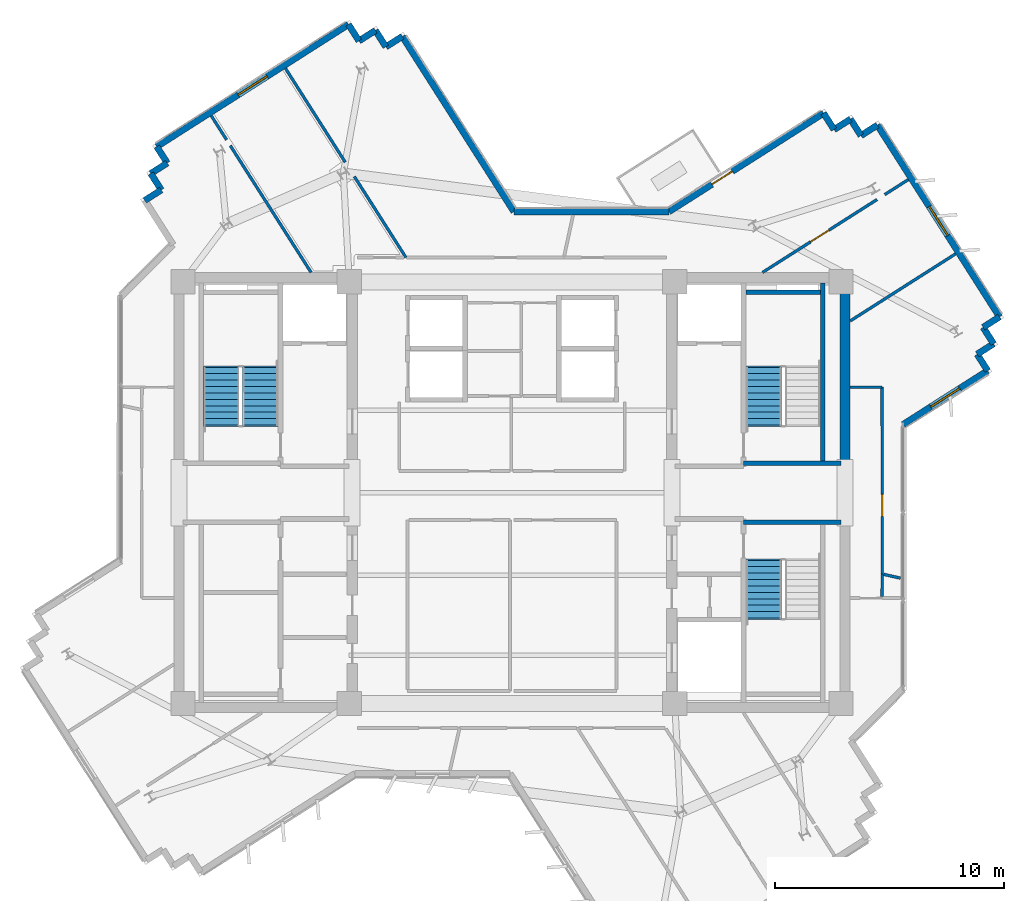
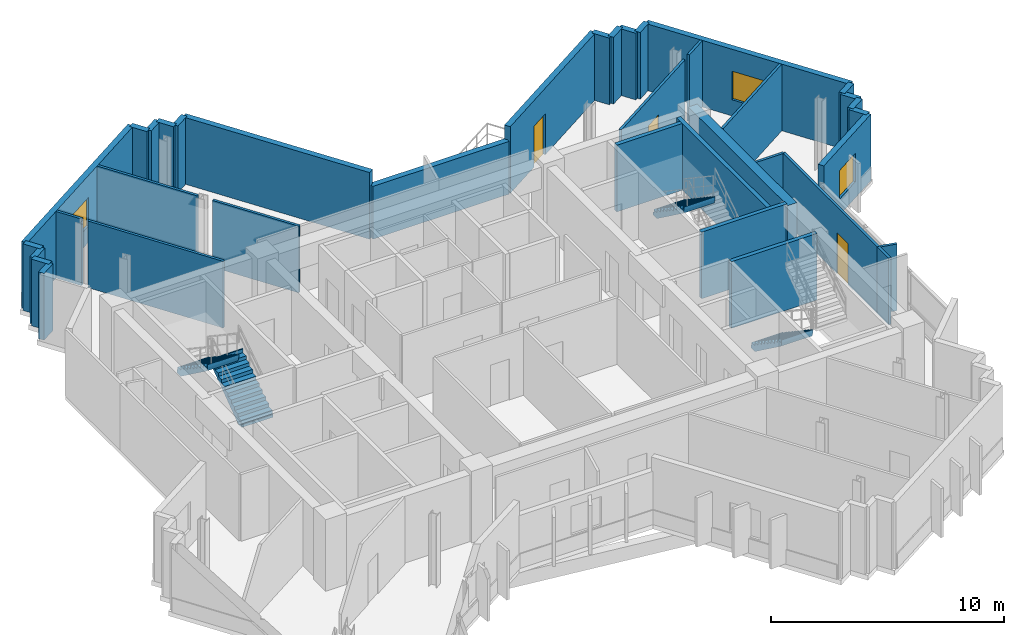
# One storey, part 8 of 12: 38 walls, 4 stair flights, 3 doors, 3 windows, 6 openings, 3 elements without a shape of their own.
"""IFC4 building model written with IfcOpenShell, lengths in metres."""

from ifc_helpers import new_model, si_unit, direction, frame, frame_2d, origin, place, context, subcontext, project, spatial, polyline, rectangle, outline, extrude, source, transform, mapped, material, layer, layer_set, type_object, element, fill, aggregate, save


model = new_model("IFC4")

# Units and contexts
model_context = context("Model", 3, precision=1e-05, world=origin(), true_north=direction((0.0, 1.0)))
body_context = subcontext(model_context, "Body", "Model", "MODEL_VIEW")
ifc_project = project(units=[si_unit("LENGTHUNIT", "METRE"), si_unit("AREAUNIT", "SQUARE_METRE"), si_unit("VOLUMEUNIT", "CUBIC_METRE"), si_unit("PLANEANGLEUNIT", "RADIAN"), si_unit("MASSUNIT", "GRAM", prefix="KILO")], contexts=[model_context])

# Site, building, storey
site_placement = place(None, origin())
site = spatial("IfcSite", under=ifc_project, at=site_placement, CompositionType="ELEMENT")
building_placement = place(site_placement, origin())
building = spatial("IfcBuilding", under=site, at=building_placement, Name="Zahravan Cultural Tower", CompositionType="ELEMENT")
storey_placement = place(building_placement, frame((0.0, 0.0, 261.60009765625)))
storey = spatial("IfcBuildingStorey", under=building, at=storey_placement, Name="L62", CompositionType="ELEMENT", Elevation=261.60009765625)

# Wall, opening, door
ifc_material_1 = material(Name="Precast concrete C40/50", Category="concrete")
ifc_layer_1 = layer(ifc_material_1, 0.280029296875)
ifc_layer_set_1 = layer_set([ifc_layer_1], Name="Precast concrete C40/50")
wall_type_1 = type_object("IfcWallType", Name="EW-TC-280", PredefinedType="SOLIDWALL", material=ifc_layer_set_1)
wall_1_placement = place(storey_placement, frame((42.84912109375, 39.260009765625, 0.0), z_axis=(0.0, 0.0, 1.0), x_axis=(0.843388565396, 0.537304129669, 0.0)))
wall_1 = element("IfcWall", 1, at=wall_1_placement, inside=storey, type_object=wall_type_1, Name="L62 Exterior Masonry Frame Wall 01", PredefinedType="SOLIDWALL", context=body_context, shape_type="SweptSolid", body=[
    extrude(rectangle(XDim=7.99609375, YDim=0.280029296875, at=frame_2d((3.998046875, 0.0))), origin(), (0.0, 0.0, 1.0), 3.5),
])
opening_1_placement = place(wall_1_placement, frame((2.222900390625, 0.0, 0.0)))
opening_1 = element("IfcOpeningElement", 2, at=opening_1_placement, cuts=wall_1, Name="Opening D-L62-TR-NE", PredefinedType="OPENING", context=body_context, shape_type="SweptSolid", body=[
    extrude(rectangle(XDim=1.050048828125, YDim=2.14990234375, at=frame_2d((0.52490234375, 1.074951171875))), frame((0.0, 0.14990234375, 0.0), z_axis=(0.0, -1.0, 0.0), x_axis=(1.0, 0.0, 0.0)), (0.0, 0.0, 1.0), 0.300048828125),
])
ifc_material_2 = material(Name="Anodised bronze-aluminium mullion", Category="aluminium")
door_type_1 = type_object("IfcDoorType", Name="DR-TERR-1050", OperationType="NOTDEFINED", PredefinedType="DOOR", material=ifc_material_2)
shared_shape_1 = source(origin(), body_context, "Body", "SweptSolid", [
    extrude(rectangle(XDim=1.050048828125, YDim=2.14990234375, at=frame_2d((0.52490234375, 1.074951171875))), frame((0.0, 0.02490234375, 0.0), z_axis=(0.0, -1.0, 0.0), x_axis=(1.0, 0.0, 0.0)), (0.0, 0.0, 1.0), 0.050048828125),
])
door_1_placement = place(opening_1_placement, origin())
door_1 = element("IfcDoor", 3, at=door_1_placement, inside=storey, type_object=door_type_1, Name="L62 Terrace Access Door NE", OperationType="SINGLE_SWING_LEFT", OverallHeight=2.14990234375, OverallWidth=1.050048828125, PredefinedType="DOOR", context=body_context, shape_type="MappedRepresentation", body=[
    mapped(shared_shape_1, transform((0.0, 0.0, 0.0), x_axis=(1.0, 0.0, 0.0), y_axis=(0.0, 1.0, 0.0), z_axis=(0.0, 0.0, 1.0), scale=1.0)),
])
fill(opening_1, door_1)

# Wall, opening, window
wall_2_placement = place(storey_placement, frame((51.940185546875, 43.035888671875, 0.0), z_axis=(0.0, 0.0, 1.0), x_axis=(0.537314949054, -0.843381672508, 0.0)))
wall_2 = element("IfcWall", 4, at=wall_2_placement, inside=storey, type_object=wall_type_1, Name="L62 Exterior Masonry Frame Wall 06", PredefinedType="SOLIDWALL", context=body_context, shape_type="SweptSolid", body=[
    extrude(rectangle(XDim=9.919921875, YDim=0.280029296875, at=frame_2d((4.9599609375, 0.0))), origin(), (0.0, 0.0, 1.0), 3.5),
])
opening_2_placement = place(wall_2_placement, frame((4.2099609375, 0.0, 0.85009765625)))
opening_2 = element("IfcOpeningElement", 5, at=opening_2_placement, cuts=wall_2, Name="Opening WN-03", PredefinedType="OPENING", context=body_context, shape_type="SweptSolid", body=[
    extrude(rectangle(XDim=1.5, YDim=1.5, at=frame_2d((0.75, 0.75))), frame((0.0, 0.14990234375, 0.0), z_axis=(0.0, -1.0, 0.0), x_axis=(1.0, 0.0, 0.0)), (0.0, 0.0, 1.0), 0.300048828125),
])
ifc_material_3 = material(Name="Low-E solar-control double glazing", Category="glass")
window_type = type_object("IfcWindowType", Name="WN-REC-1500X1500", PartitioningType="SINGLE_PANEL", PredefinedType="WINDOW", material=ifc_material_3)
shared_shape_2 = source(origin(), body_context, "Body", "SweptSolid", [
    extrude(rectangle(XDim=1.5, YDim=1.5, at=frame_2d((0.75, 0.75))), frame((0.0, 0.030029296875, 0.0), z_axis=(0.0, -1.0, 0.0), x_axis=(1.0, 0.0, 0.0)), (0.0, 0.0, 1.0), 0.06005859375),
])
window_1_placement = place(opening_2_placement, origin())
window_1 = element("IfcWindow", 6, at=window_1_placement, inside=storey, type_object=window_type, Name="L62 Recessed Solar Window 01", OverallHeight=1.5, OverallWidth=1.5, PartitioningType="SINGLE_PANEL", PredefinedType="WINDOW", context=body_context, shape_type="MappedRepresentation", body=[
    mapped(shared_shape_2, transform((0.0, 0.0, 0.0), x_axis=(1.0, 0.0, 0.0), y_axis=(0.0, 1.0, 0.0), z_axis=(0.0, 0.0, 1.0), scale=1.0)),
])
fill(opening_2, window_1)

wall_3_placement = place(storey_placement, frame((56.75, 32.322509765625, 0.0), z_axis=(0.0, 0.0, 1.0), x_axis=(-0.843383352012, -0.537312312857, 0.0)))
wall_3 = element("IfcWall", 7, at=wall_3_placement, inside=storey, type_object=wall_type_1, Name="L62 Exterior Masonry Frame Wall 11", PredefinedType="SOLIDWALL", context=body_context, shape_type="SweptSolid", body=[
    extrude(rectangle(XDim=4.375244140625, YDim=0.280029296875, at=frame_2d((2.1875, 0.0))), origin(), (0.0, 0.0, 1.0), 3.5),
])
opening_3_placement = place(wall_3_placement, frame((1.43798828125, 0.0, 0.85009765625)))
opening_3 = element("IfcOpeningElement", 8, at=opening_3_placement, cuts=wall_3, Name="Opening WN-03", PredefinedType="OPENING", context=body_context, shape_type="SweptSolid", body=[
    extrude(rectangle(XDim=1.5, YDim=1.5, at=frame_2d((0.75, 0.75))), frame((0.0, 0.14990234375, 0.0), z_axis=(0.0, -1.0, 0.0), x_axis=(1.0, 0.0, 0.0)), (0.0, 0.0, 1.0), 0.300048828125),
])
window_2_placement = place(opening_3_placement, origin())
window_2 = element("IfcWindow", 9, at=window_2_placement, inside=storey, type_object=window_type, Name="L62 Recessed Solar Window 02", OverallHeight=1.5, OverallWidth=1.5, PartitioningType="SINGLE_PANEL", PredefinedType="WINDOW", context=body_context, shape_type="MappedRepresentation", body=[
    mapped(shared_shape_2, transform((0.0, 0.0, 0.0), x_axis=(1.0, 0.0, 0.0), y_axis=(0.0, 1.0, 0.0), z_axis=(0.0, 0.0, 1.0), scale=1.0)),
])
fill(opening_3, window_2)

wall_4_placement = place(storey_placement, frame((20.501220703125, 42.0966796875, 0.0), z_axis=(0.0, 0.0, 1.0), x_axis=(0.843388777764, 0.537303796322, 0.0)))
wall_4 = element("IfcWall", 10, at=wall_4_placement, inside=storey, type_object=wall_type_1, Name="L62 Exterior Masonry Frame Wall 42", PredefinedType="SOLIDWALL", context=body_context, shape_type="SweptSolid", body=[
    extrude(rectangle(XDim=9.920166015625, YDim=0.280029296875, at=frame_2d((4.9599609375, 0.0))), origin(), (0.0, 0.0, 1.0), 3.5),
])
opening_4_placement = place(wall_4_placement, frame((4.2099609375, 0.0, 0.85009765625)))
opening_4 = element("IfcOpeningElement", 11, at=opening_4_placement, cuts=wall_4, Name="Opening WN-03", PredefinedType="OPENING", context=body_context, shape_type="SweptSolid", body=[
    extrude(rectangle(XDim=1.5, YDim=1.5, at=frame_2d((0.75, 0.75))), frame((0.0, 0.14990234375, 0.0), z_axis=(0.0, -1.0, 0.0), x_axis=(1.0, 0.0, 0.0)), (0.0, 0.0, 1.0), 0.300048828125),
])
window_3_placement = place(opening_4_placement, origin())
window_3 = element("IfcWindow", 12, at=window_3_placement, inside=storey, type_object=window_type, Name="L62 Recessed Solar Window 08", OverallHeight=1.5, OverallWidth=1.5, PartitioningType="SINGLE_PANEL", PredefinedType="WINDOW", context=body_context, shape_type="MappedRepresentation", body=[
    mapped(shared_shape_2, transform((0.0, 0.0, 0.0), x_axis=(1.0, 0.0, 0.0), y_axis=(0.0, 1.0, 0.0), z_axis=(0.0, 0.0, 1.0), scale=1.0)),
])
fill(opening_4, window_3)

# Wall, opening, door
ifc_material_4 = material(Name="Gypsum plasterboard partition")
ifc_layer_2 = layer(ifc_material_4, 0.125)
ifc_layer_set_2 = layer_set([ifc_layer_2], Name="Gypsum plasterboard partition")
wall_type_2 = type_object("IfcWallType", Name="W-PART-125", PredefinedType="PARTITIONING", material=ifc_layer_set_2)
wall_5_placement = place(storey_placement, frame((46.926513671875, 36.60498046875, 0.0), z_axis=(0.0, 0.0, 1.0), x_axis=(0.843398332862, 0.537288797693, 0.0)))
wall_5 = element("IfcWall", 13, at=wall_5_placement, inside=storey, type_object=wall_type_2, Name="L62 Interior Wall 055", PredefinedType="PARTITIONING", context=body_context, shape_type="SweptSolid", body=[
    extrude(rectangle(XDim=5.923583984375, YDim=0.125, at=frame_2d((2.9619140625, 0.0))), origin(), (0.0, 0.0, 1.0), 3.5),
])
opening_5_placement = place(wall_5_placement, frame((2.48681640625, 0.0, 0.0)))
opening_5 = element("IfcOpeningElement", 14, at=opening_5_placement, cuts=wall_5, Name="Opening D-L62-31", PredefinedType="OPENING", context=body_context, shape_type="SweptSolid", body=[
    extrude(rectangle(XDim=0.949951171875, YDim=2.14990234375, at=frame_2d((0.47509765625, 1.074951171875))), frame((0.0, 0.072509765625, 0.0), z_axis=(0.0, -1.0, 0.0), x_axis=(1.0, 0.0, 0.0)), (0.0, 0.0, 1.0), 0.14501953125),
])
door_type_2 = type_object("IfcDoorType", Name="DR-ROOM-950", OperationType="NOTDEFINED", PredefinedType="DOOR", material=ifc_material_2)
shared_shape_3 = source(origin(), body_context, "Body", "SweptSolid", [
    extrude(rectangle(XDim=0.949951171875, YDim=2.14990234375, at=frame_2d((0.47509765625, 1.074951171875))), frame((0.0, 0.02490234375, 0.0), z_axis=(0.0, -1.0, 0.0), x_axis=(1.0, 0.0, 0.0)), (0.0, 0.0, 1.0), 0.050048828125),
])
door_2_placement = place(opening_5_placement, origin())
door_2 = element("IfcDoor", 15, at=door_2_placement, inside=storey, type_object=door_type_2, Name="L62 Door D-L62-31", OperationType="SINGLE_SWING_LEFT", OverallHeight=2.14990234375, OverallWidth=0.949951171875, PredefinedType="DOOR", context=body_context, shape_type="MappedRepresentation", body=[
    mapped(shared_shape_3, transform((0.0, 0.0, 0.0), x_axis=(1.0, 0.0, 0.0), y_axis=(0.0, 1.0, 0.0), z_axis=(0.0, 0.0, 1.0), scale=1.0)),
])
fill(opening_5, door_2)

wall_6_placement = place(storey_placement, frame((52.14990234375, 23.450927734375, 0.0), z_axis=(0.0, 0.0, 1.0), x_axis=(-0.000119850186, 0.999999992818, 0.0)))
wall_6 = element("IfcWall", 16, at=wall_6_placement, inside=storey, type_object=wall_type_2, Name="L62 Interior Wall 086", PredefinedType="PARTITIONING", context=body_context, shape_type="SweptSolid", body=[
    extrude(rectangle(XDim=8.148193359375, YDim=0.125, at=frame_2d((4.07421875, 0.0))), origin(), (0.0, 0.0, 1.0), 3.5),
])
opening_6_placement = place(wall_6_placement, frame((2.519287109375, 0.0, 0.0)))
opening_6 = element("IfcOpeningElement", 17, at=opening_6_placement, cuts=wall_6, Name="Opening D-L62-20", PredefinedType="OPENING", context=body_context, shape_type="SweptSolid", body=[
    extrude(rectangle(XDim=0.949951171875, YDim=2.14990234375, at=frame_2d((0.47509765625, 1.074951171875))), frame((0.0, 0.072509765625, 0.0), z_axis=(0.0, -1.0, 0.0), x_axis=(1.0, 0.0, 0.0)), (0.0, 0.0, 1.0), 0.14501953125),
])
door_3_placement = place(opening_6_placement, origin())
door_3 = element("IfcDoor", 18, at=door_3_placement, inside=storey, type_object=door_type_2, Name="L62 Door D-L62-20", OperationType="SINGLE_SWING_RIGHT", OverallHeight=2.14990234375, OverallWidth=0.949951171875, PredefinedType="DOOR", context=body_context, shape_type="MappedRepresentation", body=[
    mapped(shared_shape_3, transform((0.0, 0.0, 0.0), x_axis=(1.0, 0.0, 0.0), y_axis=(0.0, 1.0, 0.0), z_axis=(0.0, 0.0, 1.0), scale=1.0)),
])
fill(opening_6, door_3)

# Walls
ifc_material_5 = material(Name="Concrete C50/60", Category="concrete")
ifc_layer_3 = layer(ifc_material_5, 0.449951171875)
ifc_layer_set_3 = layer_set([ifc_layer_3], Name="Concrete C50/60")
wall_type_3 = type_object("IfcWallType", Name="CW-SHEAR-450-C50", PredefinedType="SHEAR", material=ifc_layer_set_3)
shared_shape_4 = source(origin(), body_context, "Body", "SweptSolid", [
    extrude(rectangle(XDim=8.550048828125, YDim=0.449951171875, at=frame_2d((4.27490234375, 0.0))), origin(), (0.0, 0.0, 1.0), 3.5),
])
wall_7_placement = place(storey_placement, frame((50.52490234375, 28.050048828125, 0.0), z_axis=(0.0, 0.0, 1.0), x_axis=(0.0, 1.0, 0.0)))
element("IfcWall", 19, at=wall_7_placement, inside=storey, type_object=wall_type_3, Name="L62 Core Shear Wall CW-E-EN-L62", PredefinedType="SHEAR", context=body_context, shape_type="MappedRepresentation", body=[
    mapped(shared_shape_4, transform((0.0, 0.0, 0.0), x_axis=(1.0, 0.0, 0.0), y_axis=(0.0, 1.0, 0.0), z_axis=(0.0, 0.0, 1.0), scale=1.0)),
])
shared_shape_5 = source(origin(), body_context, "Body", "SweptSolid", [
    extrude(rectangle(XDim=0.85009765625, YDim=0.280029296875, at=frame_2d((0.425048828125, 0.0))), origin(), (0.0, 0.0, 1.0), 3.5),
])
for number, where, z_axis, x_axis, name in (
    (20, (57.270263671875, 34.669677734375, 0.0), (0.0, 0.0, 1.0), (-0.843401251716, -0.537284215853, 0.0), "L62 Exterior Masonry Frame Wall 07"),
    (21, (29.32421875, 46.7099609375, 0.0), (0.0, 0.0, 1.0), (0.843531374408, 0.537079901308, 0.0), "L62 Exterior Masonry Frame Wall 44"),
):
    element("IfcWall", number, at=place(storey_placement, frame(where, z_axis=z_axis, x_axis=x_axis)), inside=storey, type_object=wall_type_1, Name=name, PredefinedType="SOLIDWALL", context=body_context, shape_type="MappedRepresentation", body=[
        mapped(shared_shape_5, transform((0.0, 0.0, 0.0), x_axis=(1.0, 0.0, 0.0), y_axis=(0.0, 1.0, 0.0), z_axis=(0.0, 0.0, 1.0), scale=1.0)),
    ])
shared_shape_6 = source(origin(), body_context, "Body", "SweptSolid", [
    extrude(rectangle(XDim=0.849853515625, YDim=0.280029296875, at=frame_2d((0.4248046875, 0.0))), origin(), (0.0, 0.0, 1.0), 3.5),
])
for number, where, z_axis, x_axis, name in (
    (22, (49.593017578125, 43.556396484375, 0.0), (0.0, 0.0, 1.0), (0.537414368337, -0.843318324659, 0.0), "L62 Exterior Masonry Frame Wall 02"),
    (23, (50.0498046875, 42.839599609375, 0.0), (0.0, 0.0, 1.0), (0.843448497615, 0.537210044462, 0.0), "L62 Exterior Masonry Frame Wall 03"),
    (24, (50.7666015625, 43.296142578125, 0.0), (0.0, 0.0, 1.0), (0.537414368337, -0.843318324659, 0.0), "L62 Exterior Masonry Frame Wall 04"),
    (25, (51.223388671875, 42.579345703125, 0.0), (0.0, 0.0, 1.0), (0.843448497615, 0.537210044462, 0.0), "L62 Exterior Masonry Frame Wall 05"),
    (26, (56.55322265625, 34.212890625, 0.0), (0.0, 0.0, 1.0), (0.537414368337, -0.843318324659, 0.0), "L62 Exterior Masonry Frame Wall 08"),
    (27, (57.010009765625, 33.49609375, 0.0), (0.0, 0.0, 1.0), (-0.843318324659, -0.537414368337, 0.0), "L62 Exterior Masonry Frame Wall 09"),
    (28, (56.293212890625, 33.039306640625, 0.0), (0.0, 0.0, 1.0), (0.537414368337, -0.843318324659, 0.0), "L62 Exterior Masonry Frame Wall 10"),
    (29, (19.98095703125, 39.74951171875, 0.0), (0.0, 0.0, 1.0), (0.843318324659, 0.537414368337, 0.0), "L62 Exterior Masonry Frame Wall 38"),
    (30, (20.69775390625, 40.206298828125, 0.0), (0.0, 0.0, 1.0), (-0.537210044462, 0.843448497615, 0.0), "L62 Exterior Masonry Frame Wall 39"),
    (31, (20.2412109375, 40.923095703125, 0.0), (0.0, 0.0, 1.0), (0.843318324659, 0.537414368337, 0.0), "L62 Exterior Masonry Frame Wall 40"),
    (32, (20.9580078125, 41.3798828125, 0.0), (0.0, 0.0, 1.0), (-0.537414368337, 0.843318324659, 0.0), "L62 Exterior Masonry Frame Wall 41"),
    (33, (28.86767578125, 47.4267578125, 0.0), (0.0, 0.0, 1.0), (0.537210044462, -0.843448497615, 0.0), "L62 Exterior Masonry Frame Wall 43"),
    (34, (30.041259765625, 47.16650390625, 0.0), (0.0, 0.0, 1.0), (0.537414368337, -0.843318324659, 0.0), "L62 Exterior Masonry Frame Wall 45"),
    (35, (30.498046875, 46.44970703125, 0.0), (0.0, 0.0, 1.0), (0.843318324659, 0.537414368337, 0.0), "L62 Exterior Masonry Frame Wall 46"),
):
    element("IfcWall", number, at=place(storey_placement, frame(where, z_axis=z_axis, x_axis=x_axis)), inside=storey, type_object=wall_type_1, Name=name, PredefinedType="SOLIDWALL", context=body_context, shape_type="MappedRepresentation", body=[
        mapped(shared_shape_6, transform((0.0, 0.0, 0.0), x_axis=(1.0, 0.0, 0.0), y_axis=(0.0, 1.0, 0.0), z_axis=(0.0, 0.0, 1.0), scale=1.0)),
    ])
shared_shape_7 = source(origin(), body_context, "Body", "SweptSolid", [
    extrude(rectangle(XDim=9.06640625, YDim=0.280029296875, at=frame_2d((4.533203125, 0.0))), origin(), (0.0, 0.0, 1.0), 3.5),
])
wall_8_placement = place(storey_placement, frame((31.21484375, 46.906494140625, 0.0), z_axis=(0.0, 0.0, 1.0), x_axis=(0.537298831286, -0.843391940855, 0.0)))
element("IfcWall", 36, at=wall_8_placement, inside=storey, type_object=wall_type_1, Name="L62 Exterior Masonry Frame Wall 47", PredefinedType="SOLIDWALL", context=body_context, shape_type="MappedRepresentation", body=[
    mapped(shared_shape_7, transform((0.0, 0.0, 0.0), x_axis=(1.0, 0.0, 0.0), y_axis=(0.0, 1.0, 0.0), z_axis=(0.0, 0.0, 1.0), scale=1.0)),
])
shared_shape_8 = source(origin(), body_context, "Body", "SweptSolid", [
    extrude(rectangle(XDim=6.762939453125, YDim=0.280029296875, at=frame_2d((3.38134765625, 0.0))), origin(), (0.0, 0.0, 1.0), 2.77197265625),
])
wall_9_placement = place(storey_placement, frame((36.086181640625, 39.260009765625, 0.0), z_axis=(0.0, 0.0, 1.0), x_axis=(1.0, 0.0, 0.0)))
element("IfcWall", 37, at=wall_9_placement, inside=storey, type_object=wall_type_1, Name="L62 Exterior Masonry Frame Wall 48", PredefinedType="SOLIDWALL", context=body_context, shape_type="MappedRepresentation", body=[
    mapped(shared_shape_8, transform((0.0, 0.0, 0.0), x_axis=(1.0, 0.0, 0.0), y_axis=(0.0, 1.0, 0.0), z_axis=(0.0, 0.0, 1.0), scale=1.0)),
])
ifc_material_6 = material(Name="Concrete C45/55", Category="concrete")
ifc_layer_4 = layer(ifc_material_6, 0.199951171875)
ifc_layer_set_4 = layer_set([ifc_layer_4], Name="Concrete C45/55")
wall_type_4 = type_object("IfcWallType", Name="W-SHAFT-200", PredefinedType="SOLIDWALL", material=ifc_layer_set_4)
shared_shape_9 = source(origin(), body_context, "Body", "SweptSolid", [
    extrude(rectangle(XDim=7.869873046875, YDim=0.199951171875, at=frame_2d((3.93505859375, 0.0))), origin(), (0.0, 0.0, 1.0), 3.5),
])
wall_10_placement = place(storey_placement, frame((49.550048828125, 28.280029296875, 0.0), z_axis=(0.0, 0.0, 1.0), x_axis=(0.0, 1.0, 0.0)))
element("IfcWall", 38, at=wall_10_placement, inside=storey, type_object=wall_type_4, Name="L62 Interior Wall 004", PredefinedType="SOLIDWALL", context=body_context, shape_type="MappedRepresentation", body=[
    mapped(shared_shape_9, transform((0.0, 0.0, 0.0), x_axis=(1.0, 0.0, 0.0), y_axis=(0.0, 1.0, 0.0), z_axis=(0.0, 0.0, 1.0), scale=1.0)),
])
shared_shape_10 = source(origin(), body_context, "Body", "SweptSolid", [
    extrude(rectangle(XDim=4.25, YDim=0.199951171875, at=frame_2d((2.125, 0.0))), origin(), (0.0, 0.0, 1.0), 3.5),
])
for number, where, z_axis, x_axis, name in (
    (39, (46.10009765625, 25.715087890625, 0.0), (0.0, 0.0, 1.0), (1.0, 0.0, 0.0), "L62 Interior Wall 014"),
    (40, (46.10009765625, 28.284912109375, 0.0), (0.0, 0.0, 1.0), (1.0, 0.0, 0.0), "L62 Interior Wall 016"),
):
    element("IfcWall", number, at=place(storey_placement, frame(where, z_axis=z_axis, x_axis=x_axis)), inside=storey, type_object=wall_type_4, Name=name, PredefinedType="SOLIDWALL", context=body_context, shape_type="MappedRepresentation", body=[
        mapped(shared_shape_10, transform((0.0, 0.0, 0.0), x_axis=(1.0, 0.0, 0.0), y_axis=(0.0, 1.0, 0.0), z_axis=(0.0, 0.0, 1.0), scale=1.0)),
    ])
shared_shape_11 = source(origin(), body_context, "Body", "SweptSolid", [
    extrude(rectangle(XDim=3.25, YDim=0.199951171875, at=frame_2d((1.625, 0.0))), origin(), (0.0, 0.0, 1.0), 3.5),
])
wall_11_placement = place(storey_placement, frame((46.199951171875, 35.75, 0.0), z_axis=(0.0, 0.0, 1.0), x_axis=(1.0, 0.0, 0.0)))
element("IfcWall", 41, at=wall_11_placement, inside=storey, type_object=wall_type_4, Name="L62 Interior Wall 018", PredefinedType="SOLIDWALL", context=body_context, shape_type="MappedRepresentation", body=[
    mapped(shared_shape_11, transform((0.0, 0.0, 0.0), x_axis=(1.0, 0.0, 0.0), y_axis=(0.0, 1.0, 0.0), z_axis=(0.0, 0.0, 1.0), scale=1.0)),
])
shared_shape_12 = source(origin(), body_context, "Body", "SweptSolid", [
    extrude(rectangle(XDim=1.214599609375, YDim=0.125, at=frame_2d((0.607421875, 0.0))), origin(), (0.0, 0.0, 1.0), 3.5),
])
wall_12_placement = place(storey_placement, frame((52.26025390625, 40.0029296875, 0.0), z_axis=(0.0, 0.0, 1.0), x_axis=(0.84340481812, 0.537278617453, 0.0)))
element("IfcWall", 42, at=wall_12_placement, inside=storey, type_object=wall_type_2, Name="L62 Interior Wall 056", PredefinedType="PARTITIONING", context=body_context, shape_type="MappedRepresentation", body=[
    mapped(shared_shape_12, transform((0.0, 0.0, 0.0), x_axis=(1.0, 0.0, 0.0), y_axis=(0.0, 1.0, 0.0), z_axis=(0.0, 0.0, 1.0), scale=1.0)),
])
shared_shape_13 = source(origin(), body_context, "Body", "SweptSolid", [
    extrude(rectangle(XDim=5.44580078125, YDim=0.125, at=frame_2d((2.722900390625, 0.0))), origin(), (0.0, 0.0, 1.0), 3.5),
])
wall_13_placement = place(storey_placement, frame((55.347900390625, 37.4169921875, 0.0), z_axis=(0.0, 0.0, 1.0), x_axis=(-0.843395566027, -0.537293140851, 0.0)))
element("IfcWall", 43, at=wall_13_placement, inside=storey, type_object=wall_type_2, Name="L62 Interior Wall 057", PredefinedType="PARTITIONING", context=body_context, shape_type="MappedRepresentation", body=[
    mapped(shared_shape_13, transform((0.0, 0.0, 0.0), x_axis=(1.0, 0.0, 0.0), y_axis=(0.0, 1.0, 0.0), z_axis=(0.0, 0.0, 1.0), scale=1.0)),
])
shared_shape_14 = source(origin(), body_context, "Body", "SweptSolid", [
    extrude(rectangle(XDim=0.981201171875, YDim=0.125, at=frame_2d((0.49072265625, 0.0))), origin(), (0.0, 0.0, 1.0), 3.5),
])
wall_14_placement = place(storey_placement, frame((52.148681640625, 22.4697265625, 0.0), z_axis=(0.0, 0.0, 1.0), x_axis=(0.001244089607, 0.99999922612, 0.0)))
element("IfcWall", 44, at=wall_14_placement, inside=storey, type_object=wall_type_2, Name="L62 Interior Wall 067", PredefinedType="PARTITIONING", context=body_context, shape_type="MappedRepresentation", body=[
    mapped(shared_shape_14, transform((0.0, 0.0, 0.0), x_axis=(1.0, 0.0, 0.0), y_axis=(0.0, 1.0, 0.0), z_axis=(0.0, 0.0, 1.0), scale=1.0)),
])
shared_shape_15 = source(origin(), body_context, "Body", "SweptSolid", [
    extrude(rectangle(XDim=0.745849609375, YDim=0.125, at=frame_2d((0.373046875, 0.0))), origin(), (0.0, 0.0, 1.0), 3.5),
])
wall_15_placement = place(storey_placement, frame((52.217529296875, 23.435791015625, 0.0), z_axis=(0.0, 0.0, 1.0), x_axis=(0.975574688732, -0.219667991993, 0.0)))
element("IfcWall", 45, at=wall_15_placement, inside=storey, type_object=wall_type_2, Name="L62 Interior Wall 068", PredefinedType="PARTITIONING", context=body_context, shape_type="MappedRepresentation", body=[
    mapped(shared_shape_15, transform((0.0, 0.0, 0.0), x_axis=(1.0, 0.0, 0.0), y_axis=(0.0, 1.0, 0.0), z_axis=(0.0, 0.0, 1.0), scale=1.0)),
])
shared_shape_16 = source(origin(), body_context, "Body", "SweptSolid", [
    extrude(rectangle(XDim=4.1875, YDim=0.125, at=frame_2d((2.09375, 0.0))), origin(), (0.0, 0.0, 1.0), 3.5),
])
wall_16_placement = place(storey_placement, frame((29.122802734375, 40.791748046875, 0.0), z_axis=(0.0, 0.0, 1.0), x_axis=(0.537264008944, -0.843414124078, 0.0)))
element("IfcWall", 46, at=wall_16_placement, inside=storey, type_object=wall_type_2, Name="L62 Interior Wall 076", PredefinedType="PARTITIONING", context=body_context, shape_type="MappedRepresentation", body=[
    mapped(shared_shape_16, transform((0.0, 0.0, 0.0), x_axis=(1.0, 0.0, 0.0), y_axis=(0.0, 1.0, 0.0), z_axis=(0.0, 0.0, 1.0), scale=1.0)),
])
shared_shape_17 = source(origin(), body_context, "Body", "SweptSolid", [
    extrude(rectangle(XDim=6.559814453125, YDim=0.125, at=frame_2d((3.27978515625, 0.0))), origin(), (0.0, 0.0, 1.0), 3.5),
])
wall_17_placement = place(storey_placement, frame((27.23681640625, 36.60498046875, 0.0), z_axis=(0.0, 0.0, 1.0), x_axis=(-0.537282422054, 0.843402394443, 0.0)))
element("IfcWall", 47, at=wall_17_placement, inside=storey, type_object=wall_type_2, Name="L62 Interior Wall 078", PredefinedType="PARTITIONING", context=body_context, shape_type="MappedRepresentation", body=[
    mapped(shared_shape_17, transform((0.0, 0.0, 0.0), x_axis=(1.0, 0.0, 0.0), y_axis=(0.0, 1.0, 0.0), z_axis=(0.0, 0.0, 1.0), scale=1.0)),
])
shared_shape_18 = source(origin(), body_context, "Body", "SweptSolid", [
    extrude(rectangle(XDim=1.241455078125, YDim=0.125, at=frame_2d((0.62060546875, 0.0))), origin(), (0.0, 0.0, 1.0), 3.5),
])
wall_18_placement = place(storey_placement, frame((23.548583984375, 42.394287109375, 0.0), z_axis=(0.0, 0.0, 1.0), x_axis=(-0.537244446477, 0.843426585264, 0.0)))
element("IfcWall", 48, at=wall_18_placement, inside=storey, type_object=wall_type_2, Name="L62 Interior Wall 079", PredefinedType="PARTITIONING", context=body_context, shape_type="MappedRepresentation", body=[
    mapped(shared_shape_18, transform((0.0, 0.0, 0.0), x_axis=(1.0, 0.0, 0.0), y_axis=(0.0, 1.0, 0.0), z_axis=(0.0, 0.0, 1.0), scale=1.0)),
])
shared_shape_19 = source(origin(), body_context, "Body", "SweptSolid", [
    extrude(rectangle(XDim=4.846435546875, YDim=0.125, at=frame_2d((2.42333984375, 0.0))), origin(), (0.0, 0.0, 1.0), 3.5),
])
wall_19_placement = place(storey_placement, frame((26.1201171875, 45.504638671875, 0.0), z_axis=(0.0, 0.0, 1.0), x_axis=(0.537305688893, -0.843387572047, 0.0)))
element("IfcWall", 49, at=wall_19_placement, inside=storey, type_object=wall_type_2, Name="L62 Interior Wall 080", PredefinedType="PARTITIONING", context=body_context, shape_type="MappedRepresentation", body=[
    mapped(shared_shape_19, transform((0.0, 0.0, 0.0), x_axis=(1.0, 0.0, 0.0), y_axis=(0.0, 1.0, 0.0), z_axis=(0.0, 0.0, 1.0), scale=1.0)),
])
shared_shape_20 = source(origin(), body_context, "Body", "SweptSolid", [
    extrude(rectangle(XDim=1.39404296875, YDim=0.125, at=frame_2d((0.697021484375, 0.0))), origin(), (0.0, 0.0, 1.0), 3.5),
])
wall_20_placement = place(storey_placement, frame((52.14892578125, 31.59912109375, 0.0), z_axis=(0.0, 0.0, 1.0), x_axis=(-0.999999754632, 0.000700525222, 0.0)))
element("IfcWall", 50, at=wall_20_placement, inside=storey, type_object=wall_type_2, Name="L62 Interior Wall 085", PredefinedType="PARTITIONING", context=body_context, shape_type="MappedRepresentation", body=[
    mapped(shared_shape_20, transform((0.0, 0.0, 0.0), x_axis=(1.0, 0.0, 0.0), y_axis=(0.0, 1.0, 0.0), z_axis=(0.0, 0.0, 1.0), scale=1.0)),
])

# Stair, stair flights
stair_type = type_object("IfcStairType", Name="STR-DL-1550-375", PredefinedType="HALF_TURN_STAIR", material=ifc_material_6)
stair_1_placement = place(storey_placement, origin())
stair_1 = element("IfcStair", 51, at=stair_1_placement, inside=storey, type_object=stair_type, Name="L62 West Core North Exit Stair ST-W1", PredefinedType="HALF_TURN_STAIR")
stair_flight_type = type_object("IfcStairFlightType", Name="FLG-DL-1550-375", PredefinedType="STRAIGHT", material=ifc_material_6)
stair_flight_1_placement = place(storey_placement, frame((25.02490234375, 29.949951171875, 0.0), z_axis=(0.0, 0.0, 1.0), x_axis=(0.0, 1.0, 0.0)))
stair_flight_1 = element("IfcStairFlight", 52, at=stair_flight_1_placement, type_object=stair_flight_type, Name="ST-W1 flight 1", NumberOfRisers=10, NumberOfTreads=9, PredefinedType="STRAIGHT", RiserHeight=0.1875, TreadLength=0.28, context=body_context, shape_type="SweptSolid", body=[
    extrude(outline(polyline([(-0.06494140625, -0.139892578125), (-0.06494140625, 0.0), (0.0, 0.0), (0.0, 0.1875), (0.280029296875, 0.1875), (0.280029296875, 0.375), (0.56005859375, 0.375), (0.56005859375, 0.5625), (0.840087890625, 0.5625), (0.840087890625, 0.75), (1.1201171875, 0.75), (1.1201171875, 0.9375), (1.39990234375, 0.9375), (1.39990234375, 1.125), (1.679931640625, 1.125), (1.679931640625, 1.3125), (1.9599609375, 1.3125), (1.9599609375, 1.5), (2.239990234375, 1.5), (2.239990234375, 1.6875), (2.52001953125, 1.6875), (2.52001953125, 1.875), (2.5849609375, 1.875), (2.5849609375, 1.72509765625), (2.52001953125, 1.507080078125), (0.26953125, -0.139892578125), (-0.06494140625, -0.139892578125)])), frame((0.0, 0.77490234375, 0.0), z_axis=(0.0, -1.0, 0.0), x_axis=(1.0, 0.0, 0.0)), (0.0, 0.0, 1.0), 1.550048828125),
])
stair_flight_2_placement = place(storey_placement, frame((23.324951171875, 32.469970703125, 1.875), z_axis=(0.0, 0.0, 1.0), x_axis=(0.0, -1.0, 0.0)))
stair_flight_2 = element("IfcStairFlight", 53, at=stair_flight_2_placement, type_object=stair_flight_type, Name="ST-W1 flight 2", NumberOfRisers=10, NumberOfTreads=9, PredefinedType="STRAIGHT", RiserHeight=0.1875, TreadLength=0.28, context=body_context, shape_type="SweptSolid", body=[
    extrude(outline(polyline([(-0.06494140625, -0.139892578125), (-0.06494140625, 0.0), (0.0, 0.0), (0.0, 0.1875), (0.280029296875, 0.1875), (0.280029296875, 0.375), (0.56005859375, 0.375), (0.56005859375, 0.5625), (0.840087890625, 0.5625), (0.840087890625, 0.75), (1.1201171875, 0.75), (1.1201171875, 0.9375), (1.39990234375, 0.9375), (1.39990234375, 1.125), (1.679931640625, 1.125), (1.679931640625, 1.3125), (1.9599609375, 1.3125), (1.9599609375, 1.5), (2.239990234375, 1.5), (2.239990234375, 1.6875), (2.52001953125, 1.6875), (2.52001953125, 1.875), (2.5849609375, 1.875), (2.5849609375, 1.72509765625), (2.52001953125, 1.507080078125), (0.26953125, -0.139892578125), (-0.06494140625, -0.139892578125)])), frame((0.0, 0.77490234375, 0.0), z_axis=(0.0, -1.0, 0.0), x_axis=(1.0, 0.0, 0.0)), (0.0, 0.0, 1.0), 1.550048828125),
])
aggregate(stair_1, [stair_flight_1, stair_flight_2])

# Stair, stair flight
stair_2_placement = place(storey_placement, origin())
stair_2 = element("IfcStair", 54, at=stair_2_placement, inside=storey, type_object=stair_type, Name="L62 East Core North Exit Stair ST-E1", PredefinedType="HALF_TURN_STAIR")
stair_flight_3_placement = place(storey_placement, frame((46.97509765625, 32.469970703125, 1.875), z_axis=(0.0, 0.0, 1.0), x_axis=(0.0, -1.0, 0.0)))
stair_flight_3 = element("IfcStairFlight", 55, at=stair_flight_3_placement, type_object=stair_flight_type, Name="ST-E1 flight 2", NumberOfRisers=10, NumberOfTreads=9, PredefinedType="STRAIGHT", RiserHeight=0.1875, TreadLength=0.28, context=body_context, shape_type="SweptSolid", body=[
    extrude(outline(polyline([(-0.06494140625, -0.139892578125), (-0.06494140625, 0.0), (0.0, 0.0), (0.0, 0.1875), (0.280029296875, 0.1875), (0.280029296875, 0.375), (0.56005859375, 0.375), (0.56005859375, 0.5625), (0.840087890625, 0.5625), (0.840087890625, 0.75), (1.1201171875, 0.75), (1.1201171875, 0.9375), (1.39990234375, 0.9375), (1.39990234375, 1.125), (1.679931640625, 1.125), (1.679931640625, 1.3125), (1.9599609375, 1.3125), (1.9599609375, 1.5), (2.239990234375, 1.5), (2.239990234375, 1.6875), (2.52001953125, 1.6875), (2.52001953125, 1.875), (2.5849609375, 1.875), (2.5849609375, 1.72509765625), (2.52001953125, 1.507080078125), (0.26953125, -0.139892578125), (-0.06494140625, -0.139892578125)])), frame((0.0, 0.77490234375, 0.0), z_axis=(0.0, -1.0, 0.0), x_axis=(1.0, 0.0, 0.0)), (0.0, 0.0, 1.0), 1.550048828125),
])
aggregate(stair_2, [stair_flight_3])

stair_3_placement = place(storey_placement, origin())
stair_3 = element("IfcStair", 56, at=stair_3_placement, inside=storey, type_object=stair_type, Name="L62 East Core South Exit Stair ST-E2", PredefinedType="HALF_TURN_STAIR")
stair_flight_4_placement = place(storey_placement, frame((46.97509765625, 24.050048828125, 0.0), z_axis=(0.0, 0.0, 1.0), x_axis=(0.0, -1.0, 0.0)))
stair_flight_4 = element("IfcStairFlight", 57, at=stair_flight_4_placement, type_object=stair_flight_type, Name="ST-E2 flight 1", NumberOfRisers=10, NumberOfTreads=9, PredefinedType="STRAIGHT", RiserHeight=0.1875, TreadLength=0.28, context=body_context, shape_type="SweptSolid", body=[
    extrude(outline(polyline([(-0.06494140625, -0.139892578125), (-0.06494140625, 0.0), (0.0, 0.0), (0.0, 0.1875), (0.280029296875, 0.1875), (0.280029296875, 0.375), (0.56005859375, 0.375), (0.56005859375, 0.5625), (0.840087890625, 0.5625), (0.840087890625, 0.75), (1.1201171875, 0.75), (1.1201171875, 0.9375), (1.39990234375, 0.9375), (1.39990234375, 1.125), (1.679931640625, 1.125), (1.679931640625, 1.3125), (1.9599609375, 1.3125), (1.9599609375, 1.5), (2.239990234375, 1.5), (2.239990234375, 1.6875), (2.52001953125, 1.6875), (2.52001953125, 1.875), (2.5849609375, 1.875), (2.5849609375, 1.72509765625), (2.52001953125, 1.507080078125), (0.26953125, -0.139892578125), (-0.06494140625, -0.139892578125)])), frame((0.0, 0.77490234375, 0.0), z_axis=(0.0, -1.0, 0.0), x_axis=(1.0, 0.0, 0.0)), (0.0, 0.0, 1.0), 1.550048828125),
])
aggregate(stair_3, [stair_flight_4])

save(model, "model.ifc")
